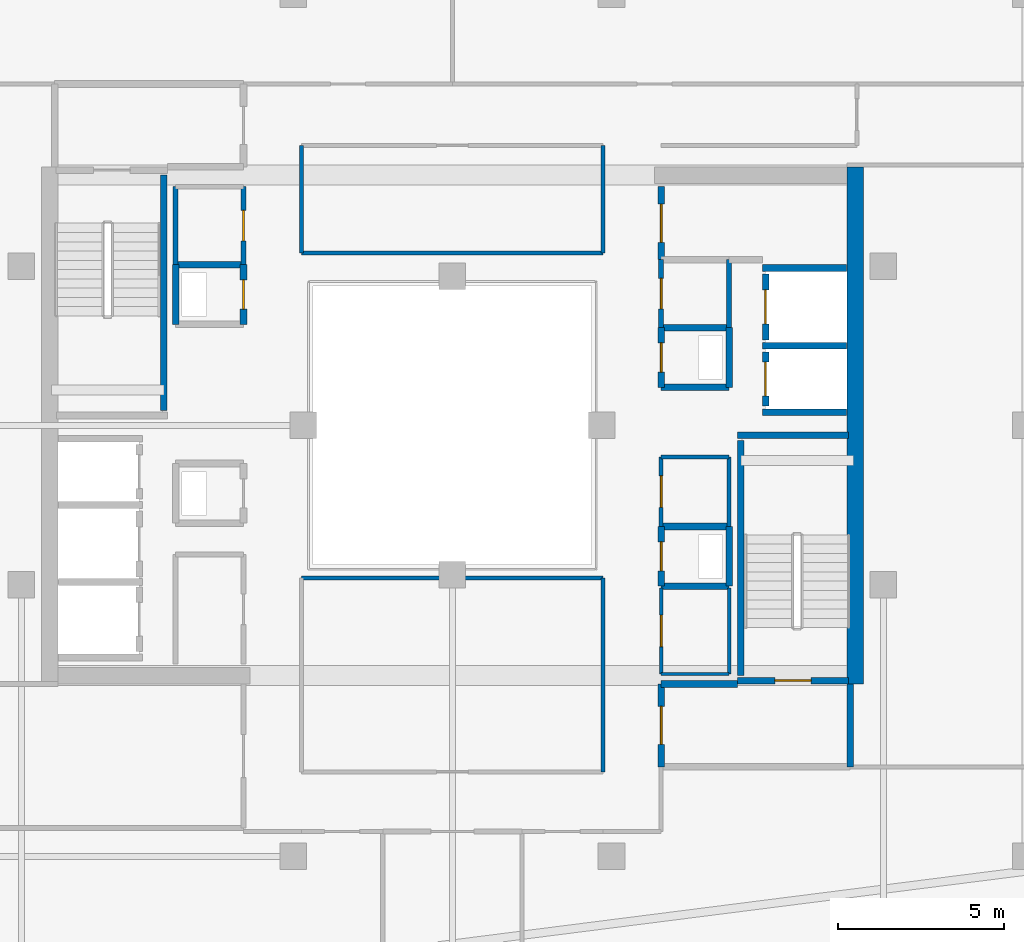
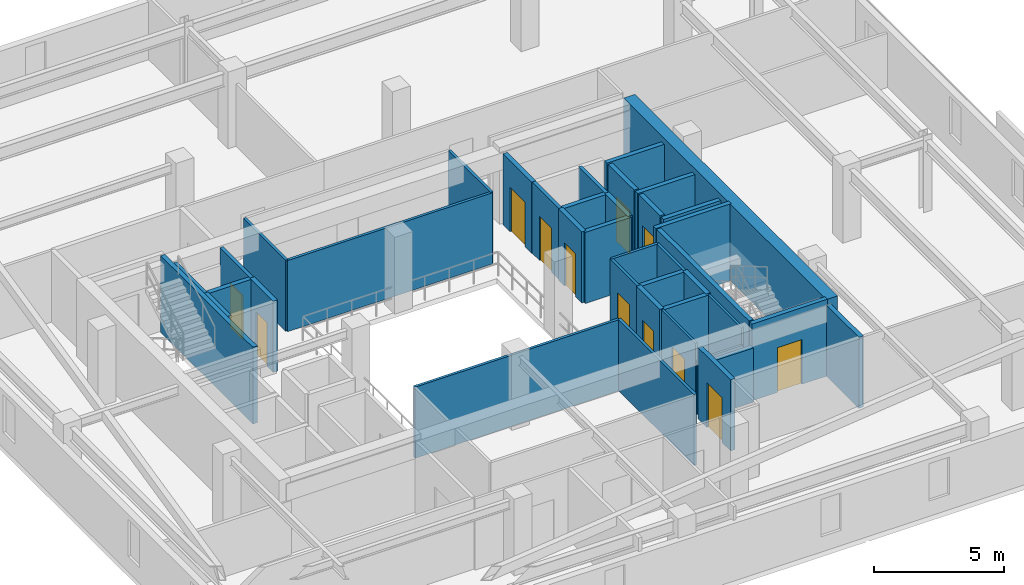
# One storey, part 26 of 34: 40 walls, 12 doors, 12 openings.
"""IFC4 building model written with IfcOpenShell, lengths in metres."""

from ifc_helpers import new_model, si_unit, direction, frame, frame_2d, origin, place, context, subcontext, project, spatial, rectangle, extrude, material, layer, layer_set, type_object, element, fill, save


model = new_model("IFC4")

# Units and contexts
model_context = context("Model", 3, precision=1e-05, world=origin(), true_north=direction((0.0, 1.0)))
body_context = subcontext(model_context, "Body", "Model", "MODEL_VIEW")
ifc_project = project(units=[si_unit("LENGTHUNIT", "METRE"), si_unit("AREAUNIT", "SQUARE_METRE"), si_unit("VOLUMEUNIT", "CUBIC_METRE"), si_unit("PLANEANGLEUNIT", "RADIAN"), si_unit("MASSUNIT", "GRAM", prefix="KILO")], contexts=[model_context])

# Site, building, storey
site_placement = place(None, origin())
site = spatial("IfcSite", under=ifc_project, at=site_placement, CompositionType="ELEMENT")
building_placement = place(site_placement, origin())
building = spatial("IfcBuilding", under=site, at=building_placement, Name="Thornwick Lancets Civic Towers", CompositionType="ELEMENT")
storey_placement = place(building_placement, frame((0.0, 0.0, 261.89990234375)))
storey = spatial("IfcBuildingStorey", under=building, at=storey_placement, Name="L70", CompositionType="ELEMENT", Elevation=261.89990234375)

# Wall, opening, door
ifc_material_1 = material(Name="Concrete blockwork C40/50", Category="masonry")
ifc_layer_1 = layer(ifc_material_1, 0.199951171875, Name="Concrete blockwork C40/50")
ifc_layer_set_1 = layer_set([ifc_layer_1], Name="Concrete blockwork C40/50")
wall_type_1 = type_object("IfcWallType", Name="WALL_COMP_200", PredefinedType="STANDARD", material=ifc_layer_set_1)
wall_1_placement = place(storey_placement, frame((97.949951171875, 29.219970703125, 0.0), z_axis=(0.0, 0.0, 1.0), x_axis=(0.0, -1.0, 0.0)))
wall_1 = element("IfcWall", 1, at=wall_1_placement, inside=storey, type_object=wall_type_1, Name="L70 Hoistway Front Wall FL-B1", PredefinedType="STANDARD", context=body_context, shape_type="SweptSolid", body=[
    extrude(rectangle(XDim=1.639892578125, YDim=0.199951171875, at=frame_2d((0.81982421875, 0.0))), origin(), (0.0, 0.0, 1.0), 3.340087890625),
])
opening_1_placement = place(wall_1_placement, frame((0.31005859375, 0.0, 0.0)))
opening_1 = element("IfcOpeningElement", 2, at=opening_1_placement, cuts=wall_1, Name="Opening LD-FL-B1", PredefinedType="OPENING", context=body_context, shape_type="SweptSolid", body=[
    extrude(rectangle(XDim=1.02001953125, YDim=2.06005859375, at=frame_2d((0.510009765625, 1.030029296875))), frame((0.0, 0.10986328125, 0.0), z_axis=(0.0, -1.0, 0.0), x_axis=(1.0, 0.0, 0.0)), (0.0, 0.0, 1.0), 0.219970703125),
])
ifc_material_2 = material(Name="Brushed bronze stainless steel", Category="steel")
door_type_1 = type_object("IfcDoorType", Name="DOOR_LIFT_SLIDE", OperationType="SLIDING_TO_LEFT", PredefinedType="DOOR", material=ifc_material_2)
door_1_placement = place(opening_1_placement, origin())
door_1 = element("IfcDoor", 3, at=door_1_placement, inside=storey, type_object=door_type_1, Name="L70 Sliding Lift Landing Door LD-FL-B1", OperationType="SLIDING_TO_LEFT", OverallHeight=2.06005859375, OverallWidth=1.02001953125, PredefinedType="DOOR", context=body_context, shape_type="SweptSolid", body=[
    extrude(rectangle(XDim=1.02001953125, YDim=2.06005859375, at=frame_2d((0.510009765625, 1.030029296875))), frame((0.0, 0.02490234375, 0.0), z_axis=(0.0, -1.0, 0.0), x_axis=(1.0, 0.0, 0.0)), (0.0, 0.0, 1.0), 0.050048828125),
])
fill(opening_1, door_1)

wall_2_placement = place(storey_placement, frame((97.949951171875, 31.570068359375, 0.0), z_axis=(0.0, 0.0, 1.0), x_axis=(0.0, -1.0, 0.0)))
wall_2 = element("IfcWall", 4, at=wall_2_placement, inside=storey, type_object=wall_type_1, Name="L70 Hoistway Front Wall PL-BH1", PredefinedType="STANDARD", context=body_context, shape_type="SweptSolid", body=[
    extrude(rectangle(XDim=1.989990234375, YDim=0.199951171875, at=frame_2d((0.9951171875, 0.0))), origin(), (0.0, 0.0, 1.0), 3.340087890625),
])
opening_2_placement = place(wall_2_placement, frame((0.485107421875, 0.0, 0.0)))
opening_2 = element("IfcOpeningElement", 5, at=opening_2_placement, cuts=wall_2, Name="Opening LD-PL-BH1", PredefinedType="OPENING", context=body_context, shape_type="SweptSolid", body=[
    extrude(rectangle(XDim=1.02001953125, YDim=2.06005859375, at=frame_2d((0.510009765625, 1.030029296875))), frame((0.0, 0.10986328125, 0.0), z_axis=(0.0, -1.0, 0.0), x_axis=(1.0, 0.0, 0.0)), (0.0, 0.0, 1.0), 0.219970703125),
])
door_2_placement = place(opening_2_placement, origin())
door_2 = element("IfcDoor", 6, at=door_2_placement, inside=storey, type_object=door_type_1, Name="L70 Sliding Lift Landing Door LD-PL-BH1", OperationType="SLIDING_TO_LEFT", OverallHeight=2.06005859375, OverallWidth=1.02001953125, PredefinedType="DOOR", context=body_context, shape_type="SweptSolid", body=[
    extrude(rectangle(XDim=1.02001953125, YDim=2.06005859375, at=frame_2d((0.510009765625, 1.030029296875))), frame((0.0, 0.02490234375, 0.0), z_axis=(0.0, -1.0, 0.0), x_axis=(1.0, 0.0, 0.0)), (0.0, 0.0, 1.0), 0.050048828125),
])
fill(opening_2, door_2)

# Walls
for number, where, z_axis, x_axis, name in (
    (7, (97.85205078125, 29.39990234375, 0.0), (0.0, 0.0, 1.0), (1.0, 0.0, 0.0), "L70 Hoistway Shaft Wall FL-B1 N"),
    (8, (97.85205078125, 27.39990234375, 0.0), (0.0, 0.0, 1.0), (1.0, 0.0, 0.0), "L70 Hoistway Shaft Wall FL-B1 S"),
    (9, (97.85205078125, 31.75, 0.0), (0.0, 0.0, 1.0), (1.0, 0.0, 0.0), "L70 Hoistway Shaft Wall PL-BH1 N"),
):
    element("IfcWall", number, at=place(storey_placement, frame(where, z_axis=z_axis, x_axis=x_axis)), inside=storey, type_object=wall_type_1, Name=name, PredefinedType="STANDARD", context=body_context, shape_type="SweptSolid", body=[
        extrude(rectangle(XDim=2.535888671875, YDim=0.199951171875, at=frame_2d((1.26806640625, 0.0))), origin(), (0.0, 0.0, 1.0), 3.340087890625),
    ])
wall_3_placement = place(storey_placement, frame((100.5, 16.699951171875, 0.0), z_axis=(0.0, 0.0, 1.0), x_axis=(0.0, 1.0, 0.0)))
element("IfcWall", 10, at=wall_3_placement, inside=storey, type_object=wall_type_1, Name="L70 Partition L70-B-FFLOB1 E2", PredefinedType="STANDARD", context=body_context, shape_type="SweptSolid", body=[
    extrude(rectangle(XDim=2.5, YDim=0.199951171875, at=frame_2d((1.25, 0.0))), origin(), (0.0, 0.0, 1.0), 3.340087890625),
])
wall_4_placement = place(storey_placement, frame((97.10009765625, 19.199951171875, 0.0), z_axis=(0.0, 0.0, 1.0), x_axis=(-1.0, 0.0, 0.0)))
element("IfcWall", 11, at=wall_4_placement, inside=storey, type_object=wall_type_1, Name="L70 Partition L70-B-FFLOB1 E3", PredefinedType="STANDARD", context=body_context, shape_type="SweptSolid", body=[
    extrude(rectangle(XDim=2.300048828125, YDim=0.199951171875, at=frame_2d((1.14990234375, 0.0))), origin(), (0.0, 0.0, 1.0), 2.545166015625),
])

# Wall, opening, door
wall_5_placement = place(storey_placement, frame((94.800048828125, 19.199951171875, 0.0), z_axis=(0.0, 0.0, 1.0), x_axis=(0.0, -1.0, 0.0)))
wall_5 = element("IfcWall", 12, at=wall_5_placement, inside=storey, type_object=wall_type_1, Name="L70 Partition L70-B-FFLOB1 E4", PredefinedType="STANDARD", context=body_context, shape_type="SweptSolid", body=[
    extrude(rectangle(XDim=2.5, YDim=0.199951171875, at=frame_2d((1.25, 0.0))), origin(), (0.0, 0.0, 1.0), 3.340087890625),
])
opening_3_placement = place(wall_5_placement, frame((0.675048828125, 0.0, 0.0)))
opening_3 = element("IfcOpeningElement", 13, at=opening_3_placement, cuts=wall_5, Name="Opening D-L70-3191", PredefinedType="OPENING", context=body_context, shape_type="SweptSolid", body=[
    extrude(rectangle(XDim=1.14990234375, YDim=2.10009765625, at=frame_2d((0.574951171875, 1.050048828125))), frame((0.0, 0.10986328125, 0.0), z_axis=(0.0, -1.0, 0.0), x_axis=(1.0, 0.0, 0.0)), (0.0, 0.0, 1.0), 0.219970703125),
])
ifc_material_3 = material(Name="Glazed fire-resisting steel", Category="steel")
door_type_2 = type_object("IfcDoorType", Name="DOOR_LOBBY_FD60", OperationType="NOTDEFINED", PredefinedType="DOOR", material=ifc_material_3)
door_3_placement = place(opening_3_placement, origin())
door_3 = element("IfcDoor", 14, at=door_3_placement, inside=storey, type_object=door_type_2, Name="L70 East Firefighting Lobby 1 Door", OperationType="SINGLE_SWING_RIGHT", OverallHeight=2.10009765625, OverallWidth=1.14990234375, PredefinedType="DOOR", context=body_context, shape_type="SweptSolid", body=[
    extrude(rectangle(XDim=1.14990234375, YDim=2.10009765625, at=frame_2d((0.574951171875, 1.050048828125))), frame((0.0, 0.02490234375, 0.0), z_axis=(0.0, -1.0, 0.0), x_axis=(1.0, 0.0, 0.0)), (0.0, 0.0, 1.0), 0.050048828125),
])
fill(opening_3, door_3)

# Walls
wall_6_placement = place(storey_placement, frame((94.800048828125, 28.14990234375, 0.0), z_axis=(0.0, 0.0, 1.0), x_axis=(1.0, 0.0, 0.0)))
element("IfcWall", 15, at=wall_6_placement, inside=storey, type_object=wall_type_1, Name="L70 Partition L70-B-DUCT1 E1", PredefinedType="STANDARD", context=body_context, shape_type="SweptSolid", body=[
    extrude(rectangle(XDim=2.050048828125, YDim=0.199951171875, at=frame_2d((1.02490234375, 0.0))), origin(), (0.0, 0.0, 1.0), 3.340087890625),
])
wall_7_placement = place(storey_placement, frame((96.85009765625, 28.14990234375, 0.0), z_axis=(0.0, 0.0, 1.0), x_axis=(0.0, 1.0, 0.0)))
element("IfcWall", 16, at=wall_7_placement, inside=storey, type_object=wall_type_1, Name="L70 Partition L70-B-DUCT1 E2", PredefinedType="STANDARD", context=body_context, shape_type="SweptSolid", body=[
    extrude(rectangle(XDim=1.800048828125, YDim=0.199951171875, at=frame_2d((0.89990234375, 0.0))), origin(), (0.0, 0.0, 1.0), 3.340087890625),
])
wall_8_placement = place(storey_placement, frame((96.85009765625, 29.949951171875, 0.0), z_axis=(0.0, 0.0, 1.0), x_axis=(-1.0, 0.0, 0.0)))
element("IfcWall", 17, at=wall_8_placement, inside=storey, type_object=wall_type_1, Name="L70 Partition L70-B-DUCT1 E3", PredefinedType="STANDARD", context=body_context, shape_type="SweptSolid", body=[
    extrude(rectangle(XDim=2.050048828125, YDim=0.199951171875, at=frame_2d((1.02490234375, 0.0))), origin(), (0.0, 0.0, 1.0), 3.340087890625),
])

# Wall, opening, door
wall_9_placement = place(storey_placement, frame((94.800048828125, 29.949951171875, 0.0), z_axis=(0.0, 0.0, 1.0), x_axis=(0.0, -1.0, 0.0)))
wall_9 = element("IfcWall", 18, at=wall_9_placement, inside=storey, type_object=wall_type_1, Name="L70 Partition L70-B-DUCT1 E4", PredefinedType="STANDARD", context=body_context, shape_type="SweptSolid", body=[
    extrude(rectangle(XDim=1.800048828125, YDim=0.199951171875, at=frame_2d((0.89990234375, 0.0))), origin(), (0.0, 0.0, 1.0), 3.340087890625),
])
opening_4_placement = place(wall_9_placement, frame((0.4599609375, 0.0, 0.0)))
opening_4 = element("IfcOpeningElement", 19, at=opening_4_placement, cuts=wall_9, Name="Opening D-L70-3193", PredefinedType="OPENING", context=body_context, shape_type="SweptSolid", body=[
    extrude(rectangle(XDim=0.8798828125, YDim=2.0400390625, at=frame_2d((0.43994140625, 1.02001953125))), frame((0.0, 0.10986328125, 0.0), z_axis=(0.0, -1.0, 0.0), x_axis=(1.0, 0.0, 0.0)), (0.0, 0.0, 1.0), 0.219970703125),
])
ifc_material_4 = material(Name="Steel riser access doorset", Category="steel")
door_type_3 = type_object("IfcDoorType", Name="DOOR_RISER_850", OperationType="NOTDEFINED", PredefinedType="DOOR", material=ifc_material_4)
door_4_placement = place(opening_4_placement, origin())
door_4 = element("IfcDoor", 20, at=door_4_placement, inside=storey, type_object=door_type_3, Name="L70 East Service Duct 1 Door", OperationType="SINGLE_SWING_RIGHT", OverallHeight=2.0400390625, OverallWidth=0.8798828125, PredefinedType="DOOR", context=body_context, shape_type="SweptSolid", body=[
    extrude(rectangle(XDim=0.8798828125, YDim=2.0400390625, at=frame_2d((0.43994140625, 1.02001953125))), frame((0.0, 0.02490234375, 0.0), z_axis=(0.0, -1.0, 0.0), x_axis=(1.0, 0.0, 0.0)), (0.0, 0.0, 1.0), 0.050048828125),
])
fill(opening_4, door_4)

# Walls
wall_10_placement = place(storey_placement, frame((94.800048828125, 22.14990234375, 0.0), z_axis=(0.0, 0.0, 1.0), x_axis=(1.0, 0.0, 0.0)))
element("IfcWall", 21, at=wall_10_placement, inside=storey, type_object=wall_type_1, Name="L70 Partition L70-B-RISER1 E1", PredefinedType="STANDARD", context=body_context, shape_type="SweptSolid", body=[
    extrude(rectangle(XDim=2.050048828125, YDim=0.199951171875, at=frame_2d((1.02490234375, 0.0))), origin(), (0.0, 0.0, 1.0), 3.340087890625),
])
wall_11_placement = place(storey_placement, frame((96.85009765625, 22.14990234375, 0.0), z_axis=(0.0, 0.0, 1.0), x_axis=(0.0, 1.0, 0.0)))
element("IfcWall", 22, at=wall_11_placement, inside=storey, type_object=wall_type_1, Name="L70 Partition L70-B-RISER1 E2", PredefinedType="STANDARD", context=body_context, shape_type="SweptSolid", body=[
    extrude(rectangle(XDim=1.800048828125, YDim=0.199951171875, at=frame_2d((0.89990234375, 0.0))), origin(), (0.0, 0.0, 1.0), 3.340087890625),
])
wall_12_placement = place(storey_placement, frame((96.85009765625, 23.949951171875, 0.0), z_axis=(0.0, 0.0, 1.0), x_axis=(-1.0, 0.0, 0.0)))
element("IfcWall", 23, at=wall_12_placement, inside=storey, type_object=wall_type_1, Name="L70 Partition L70-B-RISER1 E3", PredefinedType="STANDARD", context=body_context, shape_type="SweptSolid", body=[
    extrude(rectangle(XDim=2.050048828125, YDim=0.199951171875, at=frame_2d((1.02490234375, 0.0))), origin(), (0.0, 0.0, 1.0), 3.340087890625),
])

# Wall, opening, door
wall_13_placement = place(storey_placement, frame((94.800048828125, 23.949951171875, 0.0), z_axis=(0.0, 0.0, 1.0), x_axis=(0.0, -1.0, 0.0)))
wall_13 = element("IfcWall", 24, at=wall_13_placement, inside=storey, type_object=wall_type_1, Name="L70 Partition L70-B-RISER1 E4", PredefinedType="STANDARD", context=body_context, shape_type="SweptSolid", body=[
    extrude(rectangle(XDim=1.800048828125, YDim=0.199951171875, at=frame_2d((0.89990234375, 0.0))), origin(), (0.0, 0.0, 1.0), 3.340087890625),
])
opening_5_placement = place(wall_13_placement, frame((0.4599609375, 0.0, 0.0)))
opening_5 = element("IfcOpeningElement", 25, at=opening_5_placement, cuts=wall_13, Name="Opening D-L70-3194", PredefinedType="OPENING", context=body_context, shape_type="SweptSolid", body=[
    extrude(rectangle(XDim=0.8798828125, YDim=2.0400390625, at=frame_2d((0.43994140625, 1.02001953125))), frame((0.0, 0.10986328125, 0.0), z_axis=(0.0, -1.0, 0.0), x_axis=(1.0, 0.0, 0.0)), (0.0, 0.0, 1.0), 0.219970703125),
])
door_5_placement = place(opening_5_placement, origin())
door_5 = element("IfcDoor", 26, at=door_5_placement, inside=storey, type_object=door_type_3, Name="L70 East Electrical Riser 1 Door", OperationType="SINGLE_SWING_LEFT", OverallHeight=2.0400390625, OverallWidth=0.8798828125, PredefinedType="DOOR", context=body_context, shape_type="SweptSolid", body=[
    extrude(rectangle(XDim=0.8798828125, YDim=2.0400390625, at=frame_2d((0.43994140625, 1.02001953125))), frame((0.0, 0.02490234375, 0.0), z_axis=(0.0, -1.0, 0.0), x_axis=(1.0, 0.0, 0.0)), (0.0, 0.0, 1.0), 0.050048828125),
])
fill(opening_5, door_5)

wall_14_placement = place(storey_placement, frame((82.199951171875, 30.050048828125, 0.0), z_axis=(0.0, 0.0, 1.0), x_axis=(0.0, 1.0, 0.0)))
wall_14 = element("IfcWall", 27, at=wall_14_placement, inside=storey, type_object=wall_type_1, Name="L70 Partition L70-B-RISER2 E2", PredefinedType="STANDARD", context=body_context, shape_type="SweptSolid", body=[
    extrude(rectangle(XDim=1.800048828125, YDim=0.199951171875, at=frame_2d((0.89990234375, 0.0))), origin(), (0.0, 0.0, 1.0), 3.340087890625),
])
opening_6_placement = place(wall_14_placement, frame((0.4599609375, 0.0, 0.0)))
opening_6 = element("IfcOpeningElement", 28, at=opening_6_placement, cuts=wall_14, Name="Opening D-L70-3196", PredefinedType="OPENING", context=body_context, shape_type="SweptSolid", body=[
    extrude(rectangle(XDim=0.8798828125, YDim=2.0400390625, at=frame_2d((0.43994140625, 1.02001953125))), frame((0.0, 0.10986328125, 0.0), z_axis=(0.0, -1.0, 0.0), x_axis=(1.0, 0.0, 0.0)), (0.0, 0.0, 1.0), 0.219970703125),
])
door_6_placement = place(opening_6_placement, origin())
door_6 = element("IfcDoor", 29, at=door_6_placement, inside=storey, type_object=door_type_3, Name="L70 West Service Riser 2 Door", OperationType="SINGLE_SWING_LEFT", OverallHeight=2.0400390625, OverallWidth=0.8798828125, PredefinedType="DOOR", context=body_context, shape_type="SweptSolid", body=[
    extrude(rectangle(XDim=0.8798828125, YDim=2.0400390625, at=frame_2d((0.43994140625, 1.02001953125))), frame((0.0, 0.02490234375, 0.0), z_axis=(0.0, -1.0, 0.0), x_axis=(1.0, 0.0, 0.0)), (0.0, 0.0, 1.0), 0.050048828125),
])
fill(opening_6, door_6)

# Walls
wall_15_placement = place(storey_placement, frame((82.199951171875, 31.85009765625, 0.0), z_axis=(0.0, 0.0, 1.0), x_axis=(-1.0, 0.0, 0.0)))
element("IfcWall", 30, at=wall_15_placement, inside=storey, type_object=wall_type_1, Name="L70 Partition L70-B-RISER2 E3", PredefinedType="STANDARD", context=body_context, shape_type="SweptSolid", body=[
    extrude(rectangle(XDim=2.050048828125, YDim=0.199951171875, at=frame_2d((1.02490234375, 0.0))), origin(), (0.0, 0.0, 1.0), 3.340087890625),
])
wall_16_placement = place(storey_placement, frame((80.14990234375, 31.85009765625, 0.0), z_axis=(0.0, 0.0, 1.0), x_axis=(0.0, -1.0, 0.0)))
element("IfcWall", 31, at=wall_16_placement, inside=storey, type_object=wall_type_1, Name="L70 Partition L70-B-RISER2 E4", PredefinedType="STANDARD", context=body_context, shape_type="SweptSolid", body=[
    extrude(rectangle(XDim=1.800048828125, YDim=0.199951171875, at=frame_2d((0.89990234375, 0.0))), origin(), (0.0, 0.0, 1.0), 3.340087890625),
])

# Wall, opening, door
wall_17_placement = place(storey_placement, frame((94.800048828125, 32.0, 0.0), z_axis=(0.0, 0.0, 1.0), x_axis=(0.0, 1.0, 0.0)))
wall_17 = element("IfcWall", 32, at=wall_17_placement, inside=storey, type_object=wall_type_1, Name="L70 Partition L70-B-STR2 E1", PredefinedType="STANDARD", context=body_context, shape_type="SweptSolid", body=[
    extrude(rectangle(XDim=2.199951171875, YDim=0.199951171875, at=frame_2d((1.10009765625, 0.0))), origin(), (0.0, 0.0, 1.0), 3.340087890625),
])
opening_7_placement = place(wall_17_placement, frame((0.52490234375, 0.0, 0.0)))
opening_7 = element("IfcOpeningElement", 33, at=opening_7_placement, cuts=wall_17, Name="Opening D-L70-3200", PredefinedType="OPENING", context=body_context, shape_type="SweptSolid", body=[
    extrude(rectangle(XDim=1.14990234375, YDim=2.10009765625, at=frame_2d((0.574951171875, 1.050048828125))), frame((0.0, 0.10986328125, 0.0), z_axis=(0.0, -1.0, 0.0), x_axis=(1.0, 0.0, 0.0)), (0.0, 0.0, 1.0), 0.219970703125),
])
door_7_placement = place(opening_7_placement, origin())
door_7 = element("IfcDoor", 34, at=door_7_placement, inside=storey, type_object=door_type_2, Name="L70 Tower B Core Supplies Store Door", OperationType="SINGLE_SWING_LEFT", OverallHeight=2.10009765625, OverallWidth=1.14990234375, PredefinedType="DOOR", context=body_context, shape_type="SweptSolid", body=[
    extrude(rectangle(XDim=1.14990234375, YDim=2.10009765625, at=frame_2d((0.574951171875, 1.050048828125))), frame((0.0, 0.02490234375, 0.0), z_axis=(0.0, -1.0, 0.0), x_axis=(1.0, 0.0, 0.0)), (0.0, 0.0, 1.0), 0.050048828125),
])
fill(opening_7, door_7)

# Walls
ifc_material_5 = material(Name="Concrete C50/60", Category="concrete")
ifc_layer_2 = layer(ifc_material_5, 0.5, Name="Concrete C50/60")
ifc_layer_set_2 = layer_set([ifc_layer_2], Name="Concrete C50/60")
wall_type_2 = type_object("IfcWallType", Name="WALL_CORE_500", PredefinedType="SHEAR", material=ifc_layer_set_2)
wall_18_placement = place(storey_placement, frame((100.64990234375, 19.199951171875, 0.0), z_axis=(0.0, 0.0, 1.0), x_axis=(0.0, 1.0, 0.0)))
element("IfcWall", 35, at=wall_18_placement, inside=storey, type_object=wall_type_2, Name="L70 Split Core B1 Shear Wall E", PredefinedType="SHEAR", context=body_context, shape_type="SweptSolid", body=[
    extrude(rectangle(XDim=15.60009765625, YDim=0.5, at=frame_2d((7.800048828125, 0.0))), origin(), (0.0, 0.0, 1.0), 3.60009765625),
])
ifc_material_6 = material(Name="Lightweight cellular office partition")
ifc_layer_3 = layer(ifc_material_6, 0.10009765625, Name="Lightweight cellular office partition")
ifc_layer_set_3 = layer_set([ifc_layer_3], Name="Lightweight cellular office partition")
wall_type_3 = type_object("IfcWallType", Name="WALL_PART_100", PredefinedType="PARTITIONING", material=ifc_layer_set_3)
wall_19_placement = place(storey_placement, frame((94.800048828125, 19.5, 0.0), z_axis=(0.0, 0.0, 1.0), x_axis=(1.0, 0.0, 0.0)))
element("IfcWall", 36, at=wall_19_placement, inside=storey, type_object=wall_type_3, Name="L70 Partition L70-B-CLN E1", PredefinedType="PARTITIONING", context=body_context, shape_type="SweptSolid", body=[
    extrude(rectangle(XDim=2.050048828125, YDim=0.10009765625, at=frame_2d((1.02490234375, 0.0))), origin(), (0.0, 0.0, 1.0), 2.545166015625),
])
wall_20_placement = place(storey_placement, frame((96.85009765625, 19.5, 0.0), z_axis=(0.0, 0.0, 1.0), x_axis=(0.0, 1.0, 0.0)))
element("IfcWall", 37, at=wall_20_placement, inside=storey, type_object=wall_type_3, Name="L70 Partition L70-B-CLN E2", PredefinedType="PARTITIONING", context=body_context, shape_type="SweptSolid", body=[
    extrude(rectangle(XDim=2.60009765625, YDim=0.10009765625, at=frame_2d((1.300048828125, 0.0))), origin(), (0.0, 0.0, 1.0), 3.340087890625),
])

# Wall, opening, door
wall_21_placement = place(storey_placement, frame((94.800048828125, 22.10009765625, 0.0), z_axis=(0.0, 0.0, 1.0), x_axis=(0.0, -1.0, 0.0)))
wall_21 = element("IfcWall", 38, at=wall_21_placement, inside=storey, type_object=wall_type_3, Name="L70 Partition L70-B-CLN E4", PredefinedType="PARTITIONING", context=body_context, shape_type="SweptSolid", body=[
    extrude(rectangle(XDim=2.60009765625, YDim=0.10009765625, at=frame_2d((1.300048828125, 0.0))), origin(), (0.0, 0.0, 1.0), 3.340087890625),
])
opening_8_placement = place(wall_21_placement, frame((0.824951171875, 0.0, 0.0)))
opening_8 = element("IfcOpeningElement", 39, at=opening_8_placement, cuts=wall_21, Name="Opening D-L70-3197", PredefinedType="OPENING", context=body_context, shape_type="SweptSolid", body=[
    extrude(rectangle(XDim=0.949951171875, YDim=2.10009765625, at=frame_2d((0.47509765625, 1.050048828125))), frame((0.0, 0.06005859375, 0.0), z_axis=(0.0, -1.0, 0.0), x_axis=(1.0, 0.0, 0.0)), (0.0, 0.0, 1.0), 0.1201171875),
])
ifc_material_7 = material(Name="European oak acoustic doorset")
door_type_4 = type_object("IfcDoorType", Name="DOOR_OFFICE_950", OperationType="NOTDEFINED", PredefinedType="DOOR", material=ifc_material_7)
door_8_placement = place(opening_8_placement, origin())
door_8 = element("IfcDoor", 40, at=door_8_placement, inside=storey, type_object=door_type_4, Name="L70 Tower B Cleaners Store Door", OperationType="SINGLE_SWING_RIGHT", OverallHeight=2.10009765625, OverallWidth=0.949951171875, PredefinedType="DOOR", context=body_context, shape_type="SweptSolid", body=[
    extrude(rectangle(XDim=0.949951171875, YDim=2.10009765625, at=frame_2d((0.47509765625, 1.050048828125))), frame((0.0, 0.02490234375, 0.0), z_axis=(0.0, -1.0, 0.0), x_axis=(1.0, 0.0, 0.0)), (0.0, 0.0, 1.0), 0.050048828125),
])
fill(opening_8, door_8)

ifc_material_8 = material(Name="Acoustic gypsum board partition")
ifc_layer_4 = layer(ifc_material_8, 0.1201171875, Name="Acoustic gypsum board partition")
ifc_layer_set_4 = layer_set([ifc_layer_4], Name="Acoustic gypsum board partition")
wall_type_4 = type_object("IfcWallType", Name="WALL_PART_120", PredefinedType="PARTITIONING", material=ifc_layer_set_4)
wall_22_placement = place(storey_placement, frame((94.800048828125, 23.949951171875, 0.0), z_axis=(0.0, 0.0, 1.0), x_axis=(0.0, 1.0, 0.0)))
wall_22 = element("IfcWall", 41, at=wall_22_placement, inside=storey, type_object=wall_type_4, Name="L70 Partition L70-B-ITR E1", PredefinedType="PARTITIONING", context=body_context, shape_type="SweptSolid", body=[
    extrude(rectangle(XDim=2.10009765625, YDim=0.1201171875, at=frame_2d((1.050048828125, 0.0))), origin(), (0.0, 0.0, 1.0), 3.340087890625),
])
opening_9_placement = place(wall_22_placement, frame((0.574951171875, 0.0, 0.0)))
opening_9 = element("IfcOpeningElement", 42, at=opening_9_placement, cuts=wall_22, Name="Opening D-L70-3198", PredefinedType="OPENING", context=body_context, shape_type="SweptSolid", body=[
    extrude(rectangle(XDim=0.949951171875, YDim=2.10009765625, at=frame_2d((0.47509765625, 1.050048828125))), frame((0.0, 0.070068359375, 0.0), z_axis=(0.0, -1.0, 0.0), x_axis=(1.0, 0.0, 0.0)), (0.0, 0.0, 1.0), 0.14013671875),
])
door_9_placement = place(opening_9_placement, origin())
door_9 = element("IfcDoor", 43, at=door_9_placement, inside=storey, type_object=door_type_4, Name="L70 Tower B Comms Patch Room Door", OperationType="SINGLE_SWING_LEFT", OverallHeight=2.10009765625, OverallWidth=0.949951171875, PredefinedType="DOOR", context=body_context, shape_type="SweptSolid", body=[
    extrude(rectangle(XDim=0.949951171875, YDim=2.10009765625, at=frame_2d((0.47509765625, 1.050048828125))), frame((0.0, 0.02490234375, 0.0), z_axis=(0.0, -1.0, 0.0), x_axis=(1.0, 0.0, 0.0)), (0.0, 0.0, 1.0), 0.050048828125),
])
fill(opening_9, door_9)

# Walls
wall_23_placement = place(storey_placement, frame((94.800048828125, 26.050048828125, 0.0), z_axis=(0.0, 0.0, 1.0), x_axis=(1.0, 0.0, 0.0)))
element("IfcWall", 44, at=wall_23_placement, inside=storey, type_object=wall_type_4, Name="L70 Partition L70-B-ITR E2", PredefinedType="PARTITIONING", context=body_context, shape_type="SweptSolid", body=[
    extrude(rectangle(XDim=2.050048828125, YDim=0.1201171875, at=frame_2d((1.02490234375, 0.0))), origin(), (0.0, 0.0, 1.0), 3.340087890625),
])
wall_24_placement = place(storey_placement, frame((96.85009765625, 26.050048828125, 0.0), z_axis=(0.0, 0.0, 1.0), x_axis=(0.0, -1.0, 0.0)))
element("IfcWall", 45, at=wall_24_placement, inside=storey, type_object=wall_type_4, Name="L70 Partition L70-B-ITR E3", PredefinedType="PARTITIONING", context=body_context, shape_type="SweptSolid", body=[
    extrude(rectangle(XDim=2.10009765625, YDim=0.1201171875, at=frame_2d((1.050048828125, 0.0))), origin(), (0.0, 0.0, 1.0), 3.340087890625),
])
wall_25_placement = place(storey_placement, frame((83.949951171875, 22.39990234375, 0.0), z_axis=(0.0, 0.0, 1.0), x_axis=(1.0, 0.0, 0.0)))
element("IfcWall", 46, at=wall_25_placement, inside=storey, type_object=wall_type_4, Name="L70 Partition L70-B-W3 E2", PredefinedType="PARTITIONING", context=body_context, shape_type="SweptSolid", body=[
    extrude(rectangle(XDim=9.10009765625, YDim=0.1201171875, at=frame_2d((4.550048828125, 0.0))), origin(), (0.0, 0.0, 1.0), 3.340087890625),
])
wall_26_placement = place(storey_placement, frame((93.050048828125, 22.39990234375, 0.0), z_axis=(0.0, 0.0, 1.0), x_axis=(0.0, -1.0, 0.0)))
element("IfcWall", 47, at=wall_26_placement, inside=storey, type_object=wall_type_4, Name="L70 Partition L70-B-W3 E3", PredefinedType="PARTITIONING", context=body_context, shape_type="SweptSolid", body=[
    extrude(rectangle(XDim=5.849853515625, YDim=0.1201171875, at=frame_2d((2.9248046875, 0.0))), origin(), (0.0, 0.0, 1.0), 3.340087890625),
])
for number, where, z_axis, x_axis, name in (
    (48, (83.949951171875, 32.199951171875, 0.0), (0.0, 0.0, 1.0), (0.0, 1.0, 0.0), "L70 Partition L70-B-E-ATRIUM-OFF E1"),
    (49, (93.050048828125, 35.449951171875, 0.0), (0.0, 0.0, 1.0), (0.0, -1.0, 0.0), "L70 Partition L70-B-E-ATRIUM-OFF E3"),
):
    element("IfcWall", number, at=place(storey_placement, frame(where, z_axis=z_axis, x_axis=x_axis)), inside=storey, type_object=wall_type_4, Name=name, PredefinedType="PARTITIONING", context=body_context, shape_type="SweptSolid", body=[
        extrude(rectangle(XDim=3.25, YDim=0.1201171875, at=frame_2d((1.625, 0.0))), origin(), (0.0, 0.0, 1.0), 3.340087890625),
    ])
wall_27_placement = place(storey_placement, frame((93.050048828125, 32.199951171875, 0.0), z_axis=(0.0, 0.0, 1.0), x_axis=(-1.0, 0.0, 0.0)))
element("IfcWall", 50, at=wall_27_placement, inside=storey, type_object=wall_type_4, Name="L70 Partition L70-B-E-ATRIUM-OFF E4", PredefinedType="PARTITIONING", context=body_context, shape_type="SweptSolid", body=[
    extrude(rectangle(XDim=9.10009765625, YDim=0.1201171875, at=frame_2d((4.550048828125, 0.0))), origin(), (0.0, 0.0, 1.0), 3.340087890625),
])

# Wall, opening, door
ifc_material_9 = material(Name="Twin-stud acoustic gypsum board")
ifc_layer_5 = layer(ifc_material_9, 0.14990234375, Name="Twin-stud acoustic gypsum board")
ifc_layer_set_5 = layer_set([ifc_layer_5], Name="Twin-stud acoustic gypsum board")
wall_type_5 = type_object("IfcWallType", Name="WALL_PART_150", PredefinedType="PARTITIONING", material=ifc_layer_set_5)
wall_28_placement = place(storey_placement, frame((94.800048828125, 29.949951171875, 0.0), z_axis=(0.0, 0.0, 1.0), x_axis=(0.0, 1.0, 0.0)))
wall_28 = element("IfcWall", 51, at=wall_28_placement, inside=storey, type_object=wall_type_5, Name="L70 Partition L70-B-AWC E1", PredefinedType="PARTITIONING", context=body_context, shape_type="SweptSolid", body=[
    extrude(rectangle(XDim=2.050048828125, YDim=0.14990234375, at=frame_2d((1.02490234375, 0.0))), origin(), (0.0, 0.0, 1.0), 3.340087890625),
])
opening_10_placement = place(wall_28_placement, frame((0.56494140625, 0.0, 0.0)))
opening_10 = element("IfcOpeningElement", 52, at=opening_10_placement, cuts=wall_28, Name="Opening D-L70-3199", PredefinedType="OPENING", context=body_context, shape_type="SweptSolid", body=[
    extrude(rectangle(XDim=0.919921875, YDim=2.080078125, at=frame_2d((0.4599609375, 1.0400390625))), frame((0.0, 0.0849609375, 0.0), z_axis=(0.0, -1.0, 0.0), x_axis=(1.0, 0.0, 0.0)), (0.0, 0.0, 1.0), 0.169921875),
])
ifc_material_10 = material(Name="Moisture-resistant oak doorset")
door_type_5 = type_object("IfcDoorType", Name="DOOR_WC_900", OperationType="NOTDEFINED", PredefinedType="DOOR", material=ifc_material_10)
door_10_placement = place(opening_10_placement, origin())
door_10 = element("IfcDoor", 53, at=door_10_placement, inside=storey, type_object=door_type_5, Name="L70 Tower B Accessible WC Door", OperationType="SINGLE_SWING_RIGHT", OverallHeight=2.080078125, OverallWidth=0.919921875, PredefinedType="DOOR", context=body_context, shape_type="SweptSolid", body=[
    extrude(rectangle(XDim=0.919921875, YDim=2.080078125, at=frame_2d((0.4599609375, 1.0400390625))), frame((0.0, 0.02490234375, 0.0), z_axis=(0.0, -1.0, 0.0), x_axis=(1.0, 0.0, 0.0)), (0.0, 0.0, 1.0), 0.050048828125),
])
fill(opening_10, door_10)

# Walls
wall_29_placement = place(storey_placement, frame((96.85009765625, 32.0, 0.0), z_axis=(0.0, 0.0, 1.0), x_axis=(0.0, -1.0, 0.0)))
element("IfcWall", 54, at=wall_29_placement, inside=storey, type_object=wall_type_5, Name="L70 Partition L70-B-AWC E3", PredefinedType="PARTITIONING", context=body_context, shape_type="SweptSolid", body=[
    extrude(rectangle(XDim=2.050048828125, YDim=0.14990234375, at=frame_2d((1.02490234375, 0.0))), origin(), (0.0, 0.0, 1.0), 3.340087890625),
])
wall_30_placement = place(storey_placement, frame((80.14990234375, 31.85009765625, 0.0), z_axis=(0.0, 0.0, 1.0), x_axis=(0.0, 1.0, 0.0)))
element("IfcWall", 55, at=wall_30_placement, inside=storey, type_object=wall_type_5, Name="L70 Partition L70-B-FWC E1", PredefinedType="PARTITIONING", context=body_context, shape_type="SweptSolid", body=[
    extrude(rectangle(XDim=2.349853515625, YDim=0.14990234375, at=frame_2d((1.1748046875, 0.0))), origin(), (0.0, 0.0, 1.0), 3.340087890625),
])

# Wall, opening, door
wall_31_placement = place(storey_placement, frame((82.199951171875, 34.199951171875, 0.0), z_axis=(0.0, 0.0, 1.0), x_axis=(0.0, -1.0, 0.0)))
wall_31 = element("IfcWall", 56, at=wall_31_placement, inside=storey, type_object=wall_type_5, Name="L70 Partition L70-B-FWC E3", PredefinedType="PARTITIONING", context=body_context, shape_type="SweptSolid", body=[
    extrude(rectangle(XDim=2.349853515625, YDim=0.14990234375, at=frame_2d((1.1748046875, 0.0))), origin(), (0.0, 0.0, 1.0), 3.340087890625),
])
opening_11_placement = place(wall_31_placement, frame((0.715087890625, 0.0, 0.0)))
opening_11 = element("IfcOpeningElement", 57, at=opening_11_placement, cuts=wall_31, Name="Opening D-L70-3202", PredefinedType="OPENING", context=body_context, shape_type="SweptSolid", body=[
    extrude(rectangle(XDim=0.919921875, YDim=2.080078125, at=frame_2d((0.4599609375, 1.0400390625))), frame((0.0, 0.0849609375, 0.0), z_axis=(0.0, -1.0, 0.0), x_axis=(1.0, 0.0, 0.0)), (0.0, 0.0, 1.0), 0.169921875),
])
door_11_placement = place(opening_11_placement, origin())
door_11 = element("IfcDoor", 58, at=door_11_placement, inside=storey, type_object=door_type_5, Name="L70 Tower B Female WC Door", OperationType="SINGLE_SWING_LEFT", OverallHeight=2.080078125, OverallWidth=0.919921875, PredefinedType="DOOR", context=body_context, shape_type="SweptSolid", body=[
    extrude(rectangle(XDim=0.919921875, YDim=2.080078125, at=frame_2d((0.4599609375, 1.0400390625))), frame((0.0, 0.02490234375, 0.0), z_axis=(0.0, -1.0, 0.0), x_axis=(1.0, 0.0, 0.0)), (0.0, 0.0, 1.0), 0.050048828125),
])
fill(opening_11, door_11)

ifc_material_11 = material(Name="Concrete C40/50", Category="concrete")
ifc_layer_6 = layer(ifc_material_11, 0.199951171875, Name="Concrete C40/50")
ifc_layer_set_6 = layer_set([ifc_layer_6], Name="Concrete C40/50")
wall_type_6 = type_object("IfcWallType", Name="WALL_SHAFT_200", PredefinedType="SHEAR", material=ifc_layer_set_6)
wall_32_placement = place(storey_placement, frame((100.449951171875, 19.300048828125, 0.0), z_axis=(0.0, 0.0, 1.0), x_axis=(-1.0, 0.0, 0.0)))
wall_32 = element("IfcWall", 59, at=wall_32_placement, inside=storey, type_object=wall_type_6, Name="L70 ST-B1 Fire Stair Core Wall NEAR", PredefinedType="SHEAR", context=body_context, shape_type="SweptSolid", body=[
    extrude(rectangle(XDim=3.349853515625, YDim=0.199951171875, at=frame_2d((1.6748046875, 0.0))), origin(), (0.0, 0.0, 1.0), 3.60009765625),
])
opening_12_placement = place(wall_32_placement, frame((1.125, 0.0, 0.0)))
opening_12 = element("IfcOpeningElement", 60, at=opening_12_placement, cuts=wall_32, Name="Opening D-ST-B1-L70", PredefinedType="OPENING", context=body_context, shape_type="SweptSolid", body=[
    extrude(rectangle(XDim=1.10009765625, YDim=2.10009765625, at=frame_2d((0.550048828125, 1.050048828125))), frame((0.0, 0.10986328125, 0.0), z_axis=(0.0, -1.0, 0.0), x_axis=(1.0, 0.0, 0.0)), (0.0, 0.0, 1.0), 0.219970703125),
])
ifc_material_12 = material(Name="Fire-resisting steel and hardwood", Category="steel")
door_type_6 = type_object("IfcDoorType", Name="DOOR_STAIR_FD60", OperationType="NOTDEFINED", PredefinedType="DOOR", material=ifc_material_12)
door_12_placement = place(opening_12_placement, origin())
door_12 = element("IfcDoor", 61, at=door_12_placement, inside=storey, type_object=door_type_6, Name="L70 ST-B1 Exit Stair Door", OperationType="SINGLE_SWING_RIGHT", OverallHeight=2.10009765625, OverallWidth=1.10009765625, PredefinedType="DOOR", context=body_context, shape_type="SweptSolid", body=[
    extrude(rectangle(XDim=1.10009765625, YDim=2.10009765625, at=frame_2d((0.550048828125, 1.050048828125))), frame((0.0, 0.02490234375, 0.0), z_axis=(0.0, -1.0, 0.0), x_axis=(1.0, 0.0, 0.0)), (0.0, 0.0, 1.0), 0.050048828125),
])
fill(opening_12, door_12)

# Walls
wall_33_placement = place(storey_placement, frame((97.10009765625, 26.699951171875, 0.0), z_axis=(0.0, 0.0, 1.0), x_axis=(1.0, 0.0, 0.0)))
element("IfcWall", 62, at=wall_33_placement, inside=storey, type_object=wall_type_6, Name="L70 ST-B1 Fire Stair Core Wall FAR", PredefinedType="SHEAR", context=body_context, shape_type="SweptSolid", body=[
    extrude(rectangle(XDim=3.349853515625, YDim=0.199951171875, at=frame_2d((1.6748046875, 0.0))), origin(), (0.0, 0.0, 1.0), 3.60009765625),
])
for number, where, z_axis, x_axis, name in (
    (63, (97.202880859375, 26.550048828125, 0.0), (0.0, 0.0, 1.0), (0.0, -1.0, 0.0), "L70 ST-B1 Fire Stair Core Wall RIGHT"),
    (64, (79.797119140625, 27.449951171875, 0.0), (0.0, 0.0, 1.0), (0.0, 1.0, 0.0), "L70 ST-B2 Fire Stair Core Wall RIGHT"),
):
    element("IfcWall", number, at=place(storey_placement, frame(where, z_axis=z_axis, x_axis=x_axis)), inside=storey, type_object=wall_type_6, Name=name, PredefinedType="SHEAR", context=body_context, shape_type="SweptSolid", body=[
        extrude(rectangle(XDim=7.10009765625, YDim=0.199951171875, at=frame_2d((3.550048828125, 0.0))), origin(), (0.0, 0.0, 1.0), 3.60009765625),
    ])

save(model, "model.ifc")
